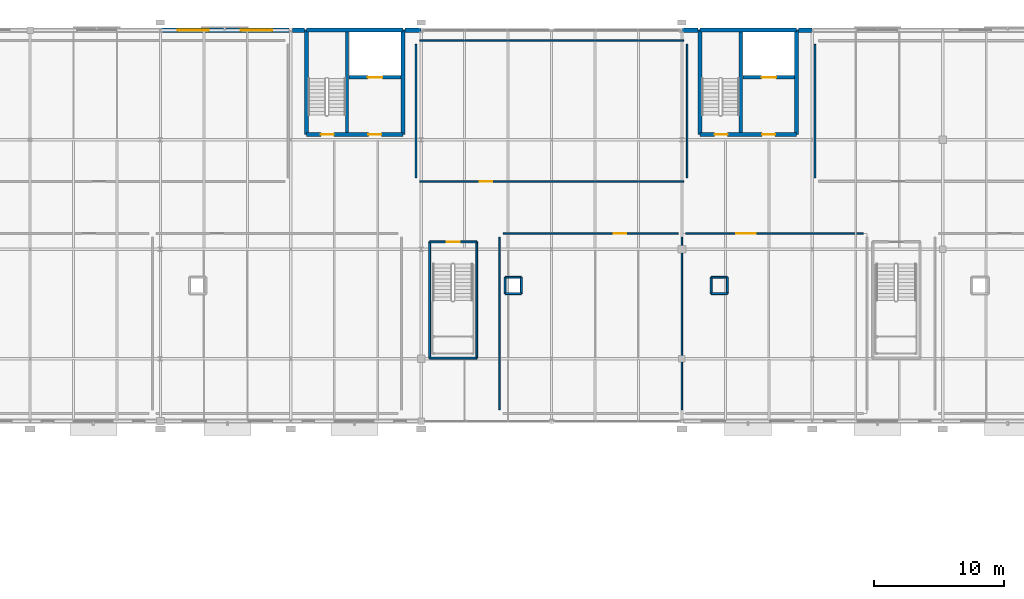
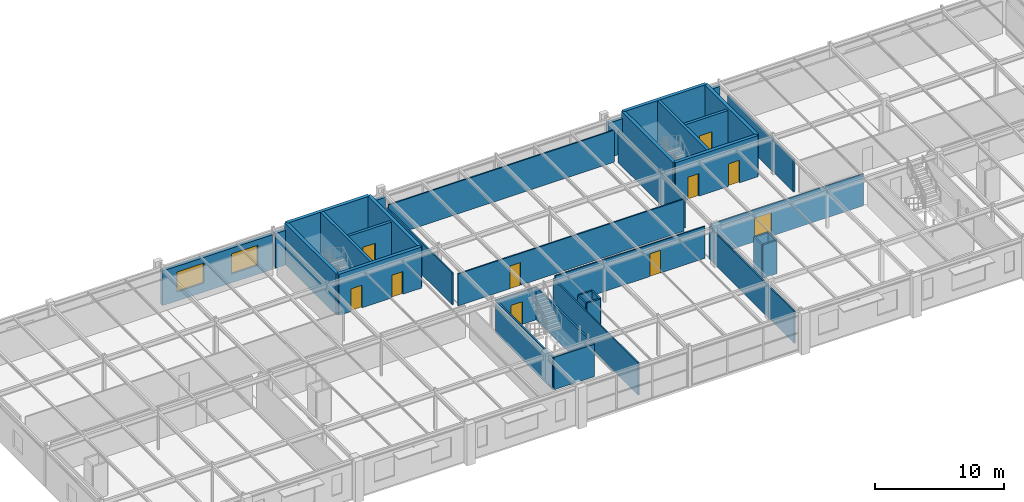
# One storey, part 80 of 98: 38 walls, 10 doors, 2 windows, 12 openings.
"""IFC4 building model written with IfcOpenShell, lengths in metres."""

import ifcopenshell
import ifcopenshell.guid

model = None  # the IFC model being written
_history = None  # IfcOwnerHistory: only IFC2X3 demands one
_inside = {}  # id of a spatial element -> (the spatial element, [elements in it])
_under = {}  # id of a project, library or spatial element -> (it, [spatial elements below it])
_declared = {}  # id of a project -> (the project, [libraries it declares])
_typed = {}  # id of a type object -> (the type object, [elements of that type])
_made_of = {}  # id of a material, layer set ... -> (it, [elements and type objects made of it])


def new_model(schema):
    """Start an empty IFC model of exactly this schema.

    Asked for "IFC4X3", IfcOpenShell would pick the latest addendum, in which some entities
    have other attributes; the version numbers below select the first issue.
    IFC2X3 requires an IfcOwnerHistory on every rooted entity: one is made here for all.
    """
    global model, _history
    if schema == "IFC4X3":
        model = ifcopenshell.file(schema_version=(4, 3, 0, 0))
    else:
        model = ifcopenshell.file(schema=schema)
    _inside.clear()
    _under.clear()
    _declared.clear()
    _typed.clear()
    _made_of.clear()
    _history = None
    if model.schema == "IFC2X3":
        org = make("IfcOrganization", Name="unknown")
        user = make(
            "IfcPersonAndOrganization",
            ThePerson=make("IfcPerson", FamilyName="unknown"),
            TheOrganization=org,
        )
        app = make(
            "IfcApplication",
            ApplicationDeveloper=org,
            Version="unknown",
            ApplicationFullName="unknown",
            ApplicationIdentifier="unknown",
        )
        _history = make(
            "IfcOwnerHistory",
            OwningUser=user,
            OwningApplication=app,
            ChangeAction="ADDED",
            CreationDate=0,
        )
    return model


def make(cls, **values):
    """One entity of the class cls with the attributes given. An attribute that is None is left unset."""
    return model.create_entity(
        cls, **{name: value for name, value in values.items() if value is not None}
    )


def rooted(cls, **values):
    """An entity with a GlobalId (a new one), such as an element, a storey or a relation."""
    return make(cls, GlobalId=ifcopenshell.guid.new(), OwnerHistory=_history, **values)


def si_unit(unit_type, name, prefix=None):
    """IfcSIUnit, for example si_unit("LENGTHUNIT", "METRE", prefix="MILLI")."""
    return make("IfcSIUnit", UnitType=unit_type, Prefix=prefix, Name=name)


def derived_unit(unit_type, elements):
    """IfcDerivedUnit: a product of units, each with its exponent."""
    return make(
        "IfcDerivedUnit",
        Elements=[
            make("IfcDerivedUnitElement", Unit=unit, Exponent=power)
            for unit, power in elements
        ],
        UnitType=unit_type,
    )


def assignment(units):
    """IfcUnitAssignment: the units of a project."""
    return None if units is None else make("IfcUnitAssignment", Units=units)


def point(xyz):
    """IfcCartesianPoint."""
    return None if xyz is None else make("IfcCartesianPoint", Coordinates=xyz)


def direction(xyz):
    """IfcDirection."""
    return None if xyz is None else make("IfcDirection", DirectionRatios=xyz)


def frame(location, z_axis=None, x_axis=None):
    """IfcAxis2Placement3D, a coordinate frame: its origin and axes. An axis left out is left unset."""
    return make(
        "IfcAxis2Placement3D",
        Location=point(location),
        Axis=direction(z_axis),
        RefDirection=direction(x_axis),
    )


def frame_2d(location, x_axis=None):
    """IfcAxis2Placement2D, a coordinate frame in the plane: its origin and x axis."""
    return make(
        "IfcAxis2Placement2D", Location=point(location), RefDirection=direction(x_axis)
    )


def origin():
    """The frame at (0, 0, 0) with its axes left unset."""
    return frame((0.0, 0.0, 0.0))


def place(relative_to, where):
    """IfcLocalPlacement: puts the frame where relative to a parent placement (None: the world)."""
    return make(
        "IfcLocalPlacement", PlacementRelTo=relative_to, RelativePlacement=where
    )


def context(
    kind, dimensions, precision=None, world=None, true_north=None, identifier=None
):
    """IfcGeometricRepresentationContext, for example the 3D "Model" context."""
    return make(
        "IfcGeometricRepresentationContext",
        ContextIdentifier=identifier,
        ContextType=kind,
        CoordinateSpaceDimension=dimensions,
        Precision=precision,
        WorldCoordinateSystem=world,
        TrueNorth=true_north,
    )


def subcontext(parent, identifier, kind, view, scale=None):
    """IfcGeometricRepresentationSubContext, for example "Body" below "Model"."""
    return make(
        "IfcGeometricRepresentationSubContext",
        ContextIdentifier=identifier,
        ContextType=kind,
        ParentContext=parent,
        TargetScale=scale,
        TargetView=view,
    )


def project(units=None, contexts=None):
    """IfcProject with its units and contexts."""
    return rooted(
        "IfcProject",
        Name="project",
        RepresentationContexts=contexts,
        UnitsInContext=assignment(units),
    )


def spatial(cls, under=None, at=None, **own):
    """A site, building, storey or space (cls), placed at a placement, below another one or the project."""
    s = rooted(cls, ObjectPlacement=at, **own)
    if under is not None:
        _under.setdefault(under.id(), (under, []))[1].append(s)
    return s


def profile(cls, at=None, kind="AREA", **sizes):
    """A parametric profile (cls). Its sizes go by their IFC names, for example OverallWidth=200.0."""
    return make(cls, ProfileType=kind, Position=at, **sizes)


def rectangle(**sizes):
    """IfcRectangleProfileDef."""
    return profile("IfcRectangleProfileDef", **sizes)


def extrude(swept, where, along, depth):
    """IfcExtrudedAreaSolid: the profile swept, set in the frame where, extruded along a direction by depth."""
    return make(
        "IfcExtrudedAreaSolid",
        SweptArea=swept,
        Position=where,
        ExtrudedDirection=direction(along),
        Depth=depth,
    )


def shape(context_of_items, identifier, shape_type, items):
    """IfcShapeRepresentation: the items that make up one representation, for example the "Body"."""
    return make(
        "IfcShapeRepresentation",
        ContextOfItems=context_of_items,
        RepresentationIdentifier=identifier,
        RepresentationType=shape_type,
        Items=items,
    )


def material(Name=None, Category=None):
    """IfcMaterial."""
    return make("IfcMaterial", Name=Name, Category=Category)


def layer(
    of_material, thickness, ventilated=None, Name=None, Category=None, Priority=None
):
    """IfcMaterialLayer: one layer of a wall or slab, of a material (None: an air gap)."""
    return make(
        "IfcMaterialLayer",
        Material=of_material,
        LayerThickness=thickness,
        IsVentilated=ventilated,
        Name=Name,
        Category=Category,
        Priority=Priority,
    )


def layer_set(layers, Name=None):
    """IfcMaterialLayerSet."""
    return make("IfcMaterialLayerSet", MaterialLayers=layers, LayerSetName=Name)


def made_of(thing, what):
    """Note that an element or type object is made of a material, layer set ...; save() writes the relation."""
    if what is not None:
        _made_of.setdefault(what.id(), (what, []))[1].append(thing)
    return thing


def type_object(cls, material=None, **own):
    """A type object (cls), such as IfcWallType, which elements share."""
    return made_of(rooted(cls, **own), material)


def element(
    cls,
    number,
    at=None,
    inside=None,
    cuts=None,
    type_object=None,
    material=None,
    context=None,
    identifier="Body",
    shape_type=None,
    held_by="IfcProductDefinitionShape",
    body=None,
    shapes=None,
    **own,
):
    """One element of the class cls, such as IfcWall. Its Tag is "e" and its number.

    at: its placement. inside: the storey or other place that contains it. cuts: it is an
    opening in that element (IfcRelVoidsElement). A single representation is given by context,
    identifier, shape_type and body (its items); several are given by shapes. held_by: the class
    of the entity that holds the representations. save() writes the other relations.
    """
    e = rooted(cls, Tag="e%d" % number, ObjectPlacement=at, **own)
    if body is not None:
        shapes = [shape(context, identifier, shape_type, body)]
    if shapes is not None:
        e.Representation = make(held_by, Representations=shapes)
    if inside is not None:
        _inside.setdefault(inside.id(), (inside, []))[1].append(e)
    if cuts is not None:
        rooted(
            "IfcRelVoidsElement", RelatingBuildingElement=cuts, RelatedOpeningElement=e
        )
    if type_object is not None:
        _typed.setdefault(type_object.id(), (type_object, []))[1].append(e)
    return made_of(e, material)


def fill(opening, filler):
    """IfcRelFillsElement: the door or window that sits in an opening."""
    return rooted(
        "IfcRelFillsElement",
        RelatingOpeningElement=opening,
        RelatedBuildingElement=filler,
    )


def aggregate(whole, parts):
    """IfcRelAggregates: a whole, such as a stair, and the parts it consists of."""
    return rooted("IfcRelAggregates", RelatingObject=whole, RelatedObjects=parts)


def save(model, path):
    """Write the relations noted so far, then the file.

    IfcRelAggregates (storeys below a building ...), IfcRelContainedInSpatialStructure (elements
    in a storey), IfcRelDefinesByType, IfcRelAssociatesMaterial and IfcRelDeclares: one each for
    every whole, place, type object, material and project.
    """
    for whole, parts in _under.values():
        aggregate(whole, parts)
    for where, things in _inside.values():
        rooted(
            "IfcRelContainedInSpatialStructure",
            RelatedElements=things,
            RelatingStructure=where,
        )
    for kind, things in _typed.values():
        rooted("IfcRelDefinesByType", RelatedObjects=things, RelatingType=kind)
    for what, things in _made_of.values():
        rooted("IfcRelAssociatesMaterial", RelatedObjects=things, RelatingMaterial=what)
    for by, libraries in _declared.values():
        rooted("IfcRelDeclares", RelatingContext=by, RelatedDefinitions=libraries)
    model.write(path)


model = new_model("IFC4")

# Units and contexts
model_context = context("Model", 3, precision=1e-05, world=origin(), true_north=direction((0.0, 1.0)))
body_context = subcontext(model_context, "Body", "Model", "MODEL_VIEW")
ifc_project = project(units=[si_unit("LENGTHUNIT", "METRE"), si_unit("AREAUNIT", "SQUARE_METRE"), si_unit("VOLUMEUNIT", "CUBIC_METRE"), si_unit("PLANEANGLEUNIT", "RADIAN"), si_unit("MASSUNIT", "GRAM", prefix="KILO"), derived_unit("THERMALTRANSMITTANCEUNIT", [(si_unit("POWERUNIT", "WATT"), 1), (si_unit("LENGTHUNIT", "METRE"), -2), (si_unit("THERMODYNAMICTEMPERATUREUNIT", "KELVIN"), -1)])], contexts=[model_context])

# Site, building, storey
site_placement = place(None, origin())
site = spatial("IfcSite", under=ifc_project, at=site_placement, CompositionType="ELEMENT")
building_placement = place(site_placement, origin())
building = spatial("IfcBuilding", under=site, at=building_placement, Name="Cinnabar Yard Market Hall", CompositionType="ELEMENT")
storey_placement = place(building_placement, frame((0.0, 0.0, 4.5)))
storey = spatial("IfcBuildingStorey", under=building, at=storey_placement, Name="L01", CompositionType="ELEMENT", Elevation=4.5)

# Wall
ifc_material_1 = material(Name="Acoustic steel-stud plasterboard", Category="steel")
ifc_layer_1 = layer(ifc_material_1, 0.1201171875)
ifc_layer_set_1 = layer_set([ifc_layer_1], Name="Acoustic steel-stud plasterboard")
wall_type_1 = type_object("IfcWallType", Name="WL-PT120", PredefinedType="PARTITIONING", material=ifc_layer_set_1)
wall_1_placement = place(storey_placement, frame((126.0, 108.8798828125, 0.0), z_axis=(0.0, 0.0, 1.0), x_axis=(0.0, 1.0, 0.0)))
element("IfcWall", 1, at=wall_1_placement, inside=storey, type_object=wall_type_1, Name="Partition Charcuterie Craft Studio 103 east", PredefinedType="PARTITIONING", context=body_context, shape_type="SweptSolid", body=[
    extrude(rectangle(XDim=13.240234375, YDim=0.1201171875, at=frame_2d((6.6201171875, 0.0), x_axis=(1.0, 0.0))), origin(), (0.0, 0.0, 1.0), 3.030029296875),
])

# Wall, opening, door
wall_2_placement = place(storey_placement, frame((125.719970703125, 122.39990234375, 0.0), z_axis=(0.0, 0.0, 1.0), x_axis=(-1.0, 0.0, 0.0)))
wall_2 = element("IfcWall", 2, at=wall_2_placement, inside=storey, type_object=wall_type_1, Name="Partition Charcuterie Craft Studio 103 north", PredefinedType="PARTITIONING", context=body_context, shape_type="SweptSolid", body=[
    extrude(rectangle(XDim=13.43994140625, YDim=0.1201171875, at=frame_2d((6.719970703125, 0.0), x_axis=(1.0, 0.0))), origin(), (0.0, 0.0, 1.0), 3.030029296875),
])
opening_1_placement = place(wall_2_placement, frame((3.996826171875, 0.0, 0.0)))
opening_1 = element("IfcOpeningElement", 3, at=opening_1_placement, cuts=wall_2, Name="Opening ID-154", PredefinedType="OPENING", context=body_context, shape_type="SweptSolid", body=[
    extrude(rectangle(XDim=0.949951171875, YDim=2.14990234375, at=frame_2d((0.47509765625, 1.074951171875), x_axis=(1.0, 0.0))), frame((0.0, 0.070068359375, 0.0), z_axis=(0.0, -1.0, 0.0), x_axis=(1.0, 0.0, 0.0)), (0.0, 0.0, 1.0), 0.14013671875),
])
ifc_material_2 = material(Name="Solid-core spotted gum timber", Category="wood")
door_type_1 = type_object("IfcDoorType", Name="DR-D06", OperationType="NOTDEFINED", PredefinedType="DOOR", material=ifc_material_2)
door_1_placement = place(opening_1_placement, origin())
door_1 = element("IfcDoor", 4, at=door_1_placement, inside=storey, type_object=door_type_1, Name="Interior Door ID-154", OperationType="SINGLE_SWING_LEFT", OverallHeight=2.14990234375, OverallWidth=0.949951171875, PredefinedType="DOOR", context=body_context, shape_type="SweptSolid", body=[
    extrude(rectangle(XDim=0.949951171875, YDim=2.14990234375, at=frame_2d((0.47509765625, 1.074951171875), x_axis=(1.0, 0.0))), frame((0.0, 0.02490234375, 0.0), z_axis=(0.0, -1.0, 0.0), x_axis=(1.0, 0.0, 0.0)), (0.0, 0.0, 1.0), 0.050048828125),
])
fill(opening_1, door_1)

# Wall
wall_3_placement = place(storey_placement, frame((112.0, 122.1201171875, 0.0), z_axis=(0.0, 0.0, 1.0), x_axis=(0.0, -1.0, 0.0)))
element("IfcWall", 5, at=wall_3_placement, inside=storey, type_object=wall_type_1, Name="Partition Charcuterie Craft Studio 103 west", PredefinedType="PARTITIONING", context=body_context, shape_type="SweptSolid", body=[
    extrude(rectangle(XDim=13.240234375, YDim=0.1201171875, at=frame_2d((6.6201171875, 0.0), x_axis=(1.0, 0.0))), origin(), (0.0, 0.0, 1.0), 3.030029296875),
])

# Wall, opening, door
wall_4_placement = place(storey_placement, frame((139.919921875, 122.39990234375, 0.0), z_axis=(0.0, 0.0, 1.0), x_axis=(-1.0, 0.0, 0.0)))
wall_4 = element("IfcWall", 6, at=wall_4_placement, inside=storey, type_object=wall_type_1, Name="Partition Regional Wine and Cider Tasting Room 104 north", PredefinedType="PARTITIONING", context=body_context, shape_type="SweptSolid", body=[
    extrude(rectangle(XDim=13.639892578125, YDim=0.1201171875, at=frame_2d((6.81982421875, 0.0), x_axis=(1.0, 0.0))), origin(), (0.0, 0.0, 1.0), 3.030029296875),
])
opening_2_placement = place(wall_4_placement, frame((8.255126953125, 0.0, 0.0)))
opening_2 = element("IfcOpeningElement", 7, at=opening_2_placement, cuts=wall_4, Name="Opening ID-155", PredefinedType="OPENING", context=body_context, shape_type="SweptSolid", body=[
    extrude(rectangle(XDim=1.5, YDim=2.25, at=frame_2d((0.75, 1.125), x_axis=(1.0, 0.0))), frame((0.0, 0.070068359375, 0.0), z_axis=(0.0, -1.0, 0.0), x_axis=(1.0, 0.0, 0.0)), (0.0, 0.0, 1.0), 0.14013671875),
])
ifc_material_3 = material(Name="Spotted gum timber and vision glass", Category="wood")
door_type_2 = type_object("IfcDoorType", Name="DR-D08", OperationType="NOTDEFINED", PredefinedType="DOOR", material=ifc_material_3)
door_2_placement = place(opening_2_placement, origin())
door_2 = element("IfcDoor", 8, at=door_2_placement, inside=storey, type_object=door_type_2, Name="Interior Door ID-155", OperationType="DOUBLE_SWING_RIGHT", OverallHeight=2.25, OverallWidth=1.5, PredefinedType="DOOR", context=body_context, shape_type="SweptSolid", body=[
    extrude(rectangle(XDim=1.5, YDim=2.25, at=frame_2d((0.75, 1.125), x_axis=(1.0, 0.0))), frame((0.0, 0.02490234375, 0.0), z_axis=(0.0, -1.0, 0.0), x_axis=(1.0, 0.0, 0.0)), (0.0, 0.0, 1.0), 0.050048828125),
])
fill(opening_2, door_2)

wall_5_placement = place(storey_placement, frame((105.8798828125, 126.39990234375, 0.0), z_axis=(0.0, 0.0, 1.0), x_axis=(1.0, 0.0, 0.0)))
wall_5 = element("IfcWall", 9, at=wall_5_placement, inside=storey, type_object=wall_type_1, Name="Partition Packaging and Food Photography Studio 107 south", PredefinedType="PARTITIONING", context=body_context, shape_type="SweptSolid", body=[
    extrude(rectangle(XDim=20.240234375, YDim=0.1201171875, at=frame_2d((10.1201171875, 0.0), x_axis=(1.0, 0.0))), origin(), (0.0, 0.0, 1.0), 3.030029296875),
])
opening_3_placement = place(wall_5_placement, frame((4.629638671875, 0.0, 0.0)))
opening_3 = element("IfcOpeningElement", 10, at=opening_3_placement, cuts=wall_5, Name="Opening ID-158", PredefinedType="OPENING", context=body_context, shape_type="SweptSolid", body=[
    extrude(rectangle(XDim=0.949951171875, YDim=2.14990234375, at=frame_2d((0.47509765625, 1.074951171875), x_axis=(1.0, 0.0))), frame((0.0, 0.070068359375, 0.0), z_axis=(0.0, -1.0, 0.0), x_axis=(1.0, 0.0, 0.0)), (0.0, 0.0, 1.0), 0.14013671875),
])
door_3_placement = place(opening_3_placement, origin())
door_3 = element("IfcDoor", 11, at=door_3_placement, inside=storey, type_object=door_type_1, Name="Interior Door ID-158", OperationType="SINGLE_SWING_LEFT", OverallHeight=2.14990234375, OverallWidth=0.949951171875, PredefinedType="DOOR", context=body_context, shape_type="SweptSolid", body=[
    extrude(rectangle(XDim=0.949951171875, YDim=2.14990234375, at=frame_2d((0.47509765625, 1.074951171875), x_axis=(1.0, 0.0))), frame((0.0, 0.02490234375, 0.0), z_axis=(0.0, -1.0, 0.0), x_axis=(1.0, 0.0, 0.0)), (0.0, 0.0, 1.0), 0.050048828125),
])
fill(opening_3, door_3)

# Walls
wall_6_placement = place(storey_placement, frame((126.39990234375, 126.679931640625, 0.0), z_axis=(0.0, 0.0, 1.0), x_axis=(0.0, 1.0, 0.0)))
element("IfcWall", 12, at=wall_6_placement, inside=storey, type_object=wall_type_1, Name="Partition Packaging and Food Photography Studio 107 east", PredefinedType="PARTITIONING", context=body_context, shape_type="SweptSolid", body=[
    extrude(rectangle(XDim=10.239990234375, YDim=0.1201171875, at=frame_2d((5.1201171875, 0.0), x_axis=(1.0, 0.0))), origin(), (0.0, 0.0, 1.0), 3.030029296875),
])
wall_7_placement = place(storey_placement, frame((126.1201171875, 137.199951171875, 0.0), z_axis=(0.0, 0.0, 1.0), x_axis=(-1.0, 0.0, 0.0)))
element("IfcWall", 13, at=wall_7_placement, inside=storey, type_object=wall_type_1, Name="Partition Packaging and Food Photography Studio 107 north", PredefinedType="PARTITIONING", context=body_context, shape_type="SweptSolid", body=[
    extrude(rectangle(XDim=20.240234375, YDim=0.1201171875, at=frame_2d((10.1201171875, 0.0), x_axis=(1.0, 0.0))), origin(), (0.0, 0.0, 1.0), 3.030029296875),
])
wall_8_placement = place(storey_placement, frame((105.60009765625, 136.919921875, 0.0), z_axis=(0.0, 0.0, 1.0), x_axis=(0.0, -1.0, 0.0)))
element("IfcWall", 14, at=wall_8_placement, inside=storey, type_object=wall_type_1, Name="Partition Packaging and Food Photography Studio 107 west", PredefinedType="PARTITIONING", context=body_context, shape_type="SweptSolid", body=[
    extrude(rectangle(XDim=10.239990234375, YDim=0.1201171875, at=frame_2d((5.1201171875, 0.0), x_axis=(1.0, 0.0))), origin(), (0.0, 0.0, 1.0), 3.030029296875),
])
ifc_material_4 = material(Name="Moisture-resistant tiled service wall")
ifc_layer_2 = layer(ifc_material_4, 0.139892578125)
ifc_layer_set_2 = layer_set([ifc_layer_2], Name="Moisture-resistant tiled service wall")
wall_type_2 = type_object("IfcWallType", Name="WL-PT140", PredefinedType="PLUMBINGWALL", material=ifc_layer_set_2)
wall_9_placement = place(storey_placement, frame((136.199951171875, 136.919921875, 0.0), z_axis=(0.0, 0.0, 1.0), x_axis=(0.0, -1.0, 0.0)))
element("IfcWall", 15, at=wall_9_placement, inside=storey, type_object=wall_type_2, Name="Partition L01 Studios Male, Female and Accessible WC west", PredefinedType="PLUMBINGWALL", context=body_context, shape_type="SweptSolid", body=[
    extrude(rectangle(XDim=10.239990234375, YDim=0.139892578125, at=frame_2d((5.1201171875, 0.0), x_axis=(1.0, 0.0))), origin(), (0.0, 0.0, 1.0), 3.030029296875),
])
ifc_material_5 = material(Name="Fire-rated steel-stud plasterboard", Category="steel")
ifc_layer_3 = layer(ifc_material_5, 0.14990234375)
ifc_layer_set_3 = layer_set([ifc_layer_3], Name="Fire-rated steel-stud plasterboard")
wall_type_3 = type_object("IfcWallType", Name="WL-PT150", PredefinedType="PARTITIONING", material=ifc_layer_set_3)
for number, where, z_axis, x_axis, name in (
    (16, (106.639892578125, 121.760009765625, 0.0), (0.0, 0.0, 1.0), (0.0, -1.0, 0.0), "Stair ST-F4 Shaft Wall W L01"),
    (17, (110.260009765625, 112.840087890625, 0.0), (0.0, 0.0, 1.0), (0.0, 1.0, 0.0), "Stair ST-F4 Shaft Wall E L01"),
):
    element("IfcWall", number, at=place(storey_placement, frame(where, z_axis=z_axis, x_axis=x_axis)), inside=storey, type_object=wall_type_3, Name=name, PredefinedType="PARTITIONING", context=body_context, shape_type="SweptSolid", body=[
        extrude(rectangle(XDim=8.919921875, YDim=0.14990234375, at=frame_2d((4.4599609375, 0.0), x_axis=(1.0, 0.0))), origin(), (0.0, 0.0, 1.0), 3.070068359375),
    ])
wall_10_placement = place(storey_placement, frame((106.639892578125, 112.840087890625, 0.0), z_axis=(0.0, 0.0, 1.0), x_axis=(1.0, 0.0, 0.0)))
element("IfcWall", 18, at=wall_10_placement, inside=storey, type_object=wall_type_3, Name="Stair ST-F4 Shaft Wall S L01", PredefinedType="PARTITIONING", context=body_context, shape_type="SweptSolid", body=[
    extrude(rectangle(XDim=3.6201171875, YDim=0.14990234375, at=frame_2d((1.81005859375, 0.0), x_axis=(1.0, 0.0))), origin(), (0.0, 0.0, 1.0), 3.070068359375),
])

# Wall, opening, door
wall_11_placement = place(storey_placement, frame((110.260009765625, 121.760009765625, 0.0), z_axis=(0.0, 0.0, 1.0), x_axis=(-1.0, 0.0, 0.0)))
wall_11 = element("IfcWall", 19, at=wall_11_placement, inside=storey, type_object=wall_type_3, Name="Stair ST-F4 Shaft Wall N L01", PredefinedType="PARTITIONING", context=body_context, shape_type="SweptSolid", body=[
    extrude(rectangle(XDim=3.6201171875, YDim=0.14990234375, at=frame_2d((1.81005859375, 0.0), x_axis=(1.0, 0.0))), origin(), (0.0, 0.0, 1.0), 3.070068359375),
])
opening_4_placement = place(wall_11_placement, frame((1.31005859375, 0.0, 0.0)))
opening_4 = element("IfcOpeningElement", 20, at=opening_4_placement, cuts=wall_11, Name="Opening CD-074", PredefinedType="OPENING", context=body_context, shape_type="SweptSolid", body=[
    extrude(rectangle(XDim=1.0, YDim=2.14990234375, at=frame_2d((0.5, 1.074951171875), x_axis=(1.0, 0.0))), frame((0.0, 0.0849609375, 0.0), z_axis=(0.0, -1.0, 0.0), x_axis=(1.0, 0.0, 0.0)), (0.0, 0.0, 1.0), 0.169921875),
])
door_type_3 = type_object("IfcDoorType", Name="DR-D05", OperationType="NOTDEFINED", PredefinedType="DOOR", material=ifc_material_2)
door_4_placement = place(opening_4_placement, origin())
door_4 = element("IfcDoor", 21, at=door_4_placement, inside=storey, type_object=door_type_3, Name="Stair Door CD-074", OperationType="SINGLE_SWING_LEFT", OverallHeight=2.14990234375, OverallWidth=1.0, PredefinedType="DOOR", context=body_context, shape_type="SweptSolid", body=[
    extrude(rectangle(XDim=1.0, YDim=2.14990234375, at=frame_2d((0.5, 1.074951171875), x_axis=(1.0, 0.0))), frame((0.0, 0.02490234375, 0.0), z_axis=(0.0, -1.0, 0.0), x_axis=(1.0, 0.0, 0.0)), (0.0, 0.0, 1.0), 0.050048828125),
])
fill(opening_4, door_4)

# Walls
for number, where, z_axis, x_axis, name in (
    (22, (112.43994140625, 117.800048828125, 0.0), (0.0, 0.0, 1.0), (1.0, 0.0, 0.0), "Service Shaft Wall L01-3-1"),
    (23, (113.68994140625, 117.800048828125, 0.0), (0.0, 0.0, 1.0), (0.0, 1.0, 0.0), "Service Shaft Wall L01-3-2"),
    (24, (113.68994140625, 119.050048828125, 0.0), (0.0, 0.0, 1.0), (-1.0, 0.0, 0.0), "Service Shaft Wall L01-3-3"),
    (25, (112.43994140625, 119.050048828125, 0.0), (0.0, 0.0, 1.0), (0.0, -1.0, 0.0), "Service Shaft Wall L01-3-4"),
    (26, (128.239990234375, 117.800048828125, 0.0), (0.0, 0.0, 1.0), (1.0, 0.0, 0.0), "Service Shaft Wall L01-4-1"),
    (27, (129.489990234375, 117.800048828125, 0.0), (0.0, 0.0, 1.0), (0.0, 1.0, 0.0), "Service Shaft Wall L01-4-2"),
    (28, (129.489990234375, 119.050048828125, 0.0), (0.0, 0.0, 1.0), (-1.0, 0.0, 0.0), "Service Shaft Wall L01-4-3"),
    (29, (128.239990234375, 119.050048828125, 0.0), (0.0, 0.0, 1.0), (0.0, -1.0, 0.0), "Service Shaft Wall L01-4-4"),
):
    element("IfcWall", number, at=place(storey_placement, frame(where, z_axis=z_axis, x_axis=x_axis)), inside=storey, type_object=wall_type_3, Name=name, PredefinedType="PARTITIONING", context=body_context, shape_type="SweptSolid", body=[
        extrude(rectangle(XDim=1.25, YDim=0.14990234375, at=frame_2d((0.625, 0.0), x_axis=(1.0, 0.0))), origin(), (0.0, 0.0, 1.0), 3.169921875),
    ])
ifc_material_6 = material(Name="Concrete 40 MPa", Category="concrete")
ifc_layer_4 = layer(ifc_material_6, 0.300048828125)
ifc_layer_set_4 = layer_set([ifc_layer_4], Name="Concrete 40 MPa")
wall_type_4 = type_object("IfcWallType", Name="WL-W-CORE", PredefinedType="SHEAR", material=ifc_layer_set_4)
for number, where, z_axis, x_axis, name in (
    (30, (97.199951171875, 138.0, 0.0), (0.0, 0.0, 1.0), (0.0, -1.0, 0.0), "Core C5 West Shear Wall L01"),
    (31, (104.60009765625, 130.0, 0.0), (0.0, 0.0, 1.0), (0.0, 1.0, 0.0), "Core C5 East Shear Wall L01"),
):
    element("IfcWall", number, at=place(storey_placement, frame(where, z_axis=z_axis, x_axis=x_axis)), inside=storey, type_object=wall_type_4, Name=name, PredefinedType="SHEAR", context=body_context, shape_type="SweptSolid", body=[
        extrude(rectangle(XDim=8.0, YDim=0.300048828125, at=frame_2d((4.0, 0.0), x_axis=(1.0, 0.0))), origin(), (0.0, 0.0, 1.0), 3.89990234375),
    ])

# Wall, openings, doors
wall_12_placement = place(storey_placement, frame((97.199951171875, 130.0, 0.0), z_axis=(0.0, 0.0, 1.0), x_axis=(1.0, 0.0, 0.0)))
wall_12 = element("IfcWall", 32, at=wall_12_placement, inside=storey, type_object=wall_type_4, Name="Core C5 South Shear Wall L01", PredefinedType="SHEAR", context=body_context, shape_type="SweptSolid", body=[
    extrude(rectangle(XDim=7.400146484375, YDim=0.300048828125, at=frame_2d((3.7001953125, 0.0), x_axis=(1.0, 0.0))), origin(), (0.0, 0.0, 1.0), 3.89990234375),
])
opening_5_placement = place(wall_12_placement, frame((1.10009765625, 0.0, 0.0)))
opening_5 = element("IfcOpeningElement", 33, at=opening_5_placement, cuts=wall_12, Name="Opening CD-033", PredefinedType="OPENING", context=body_context, shape_type="SweptSolid", body=[
    extrude(rectangle(XDim=1.0, YDim=2.14990234375, at=frame_2d((0.5, 1.074951171875), x_axis=(1.0, 0.0))), frame((0.0, 0.159912109375, 0.0), z_axis=(0.0, -1.0, 0.0), x_axis=(1.0, 0.0, 0.0)), (0.0, 0.0, 1.0), 0.320068359375),
])
opening_6_placement = place(wall_12_placement, frame((4.75, 0.0, 0.0)))
opening_6 = element("IfcOpeningElement", 34, at=opening_6_placement, cuts=wall_12, Name="Opening CD-034", PredefinedType="OPENING", context=body_context, shape_type="SweptSolid", body=[
    extrude(rectangle(XDim=1.0, YDim=2.14990234375, at=frame_2d((0.5, 1.074951171875), x_axis=(1.0, 0.0))), frame((0.0, 0.159912109375, 0.0), z_axis=(0.0, -1.0, 0.0), x_axis=(1.0, 0.0, 0.0)), (0.0, 0.0, 1.0), 0.320068359375),
])
door_5_placement = place(opening_5_placement, origin())
door_5 = element("IfcDoor", 35, at=door_5_placement, inside=storey, type_object=door_type_3, Name="Core Door CD-033", OperationType="SINGLE_SWING_RIGHT", OverallHeight=2.14990234375, OverallWidth=1.0, PredefinedType="DOOR", context=body_context, shape_type="SweptSolid", body=[
    extrude(rectangle(XDim=1.0, YDim=2.14990234375, at=frame_2d((0.5, 1.074951171875), x_axis=(1.0, 0.0))), frame((0.0, 0.02490234375, 0.0), z_axis=(0.0, -1.0, 0.0), x_axis=(1.0, 0.0, 0.0)), (0.0, 0.0, 1.0), 0.050048828125),
])
fill(opening_5, door_5)
door_6_placement = place(opening_6_placement, origin())
door_6 = element("IfcDoor", 36, at=door_6_placement, inside=storey, type_object=door_type_3, Name="Core Door CD-034", OperationType="SINGLE_SWING_LEFT", OverallHeight=2.14990234375, OverallWidth=1.0, PredefinedType="DOOR", context=body_context, shape_type="SweptSolid", body=[
    extrude(rectangle(XDim=1.0, YDim=2.14990234375, at=frame_2d((0.5, 1.074951171875), x_axis=(1.0, 0.0))), frame((0.0, 0.02490234375, 0.0), z_axis=(0.0, -1.0, 0.0), x_axis=(1.0, 0.0, 0.0)), (0.0, 0.0, 1.0), 0.050048828125),
])
fill(opening_6, door_6)

# Walls
wall_13_placement = place(storey_placement, frame((104.60009765625, 138.0, 0.0), z_axis=(0.0, 0.0, 1.0), x_axis=(-1.0, 0.0, 0.0)))
element("IfcWall", 37, at=wall_13_placement, inside=storey, type_object=wall_type_4, Name="Core C5 North Shear Wall L01", PredefinedType="SHEAR", context=body_context, shape_type="SweptSolid", body=[
    extrude(rectangle(XDim=7.400146484375, YDim=0.300048828125, at=frame_2d((3.7001953125, 0.0), x_axis=(1.0, 0.0))), origin(), (0.0, 0.0, 1.0), 3.89990234375),
])
for number, where, z_axis, x_axis, name in (
    (38, (127.39990234375, 138.0, 0.0), (0.0, 0.0, 1.0), (0.0, -1.0, 0.0), "Core C6 West Shear Wall L01"),
    (39, (134.800048828125, 130.0, 0.0), (0.0, 0.0, 1.0), (0.0, 1.0, 0.0), "Core C6 East Shear Wall L01"),
):
    element("IfcWall", number, at=place(storey_placement, frame(where, z_axis=z_axis, x_axis=x_axis)), inside=storey, type_object=wall_type_4, Name=name, PredefinedType="SHEAR", context=body_context, shape_type="SweptSolid", body=[
        extrude(rectangle(XDim=8.0, YDim=0.300048828125, at=frame_2d((4.0, 0.0), x_axis=(1.0, 0.0))), origin(), (0.0, 0.0, 1.0), 3.89990234375),
    ])

# Wall, openings, doors
wall_14_placement = place(storey_placement, frame((127.39990234375, 130.0, 0.0), z_axis=(0.0, 0.0, 1.0), x_axis=(1.0, 0.0, 0.0)))
wall_14 = element("IfcWall", 40, at=wall_14_placement, inside=storey, type_object=wall_type_4, Name="Core C6 South Shear Wall L01", PredefinedType="SHEAR", context=body_context, shape_type="SweptSolid", body=[
    extrude(rectangle(XDim=7.400146484375, YDim=0.300048828125, at=frame_2d((3.7001953125, 0.0), x_axis=(1.0, 0.0))), origin(), (0.0, 0.0, 1.0), 3.89990234375),
])
opening_7_placement = place(wall_14_placement, frame((1.10009765625, 0.0, 0.0)))
opening_7 = element("IfcOpeningElement", 41, at=opening_7_placement, cuts=wall_14, Name="Opening CD-045", PredefinedType="OPENING", context=body_context, shape_type="SweptSolid", body=[
    extrude(rectangle(XDim=1.0, YDim=2.14990234375, at=frame_2d((0.5, 1.074951171875), x_axis=(1.0, 0.0))), frame((0.0, 0.159912109375, 0.0), z_axis=(0.0, -1.0, 0.0), x_axis=(1.0, 0.0, 0.0)), (0.0, 0.0, 1.0), 0.320068359375),
])
opening_8_placement = place(wall_14_placement, frame((4.75, 0.0, 0.0)))
opening_8 = element("IfcOpeningElement", 42, at=opening_8_placement, cuts=wall_14, Name="Opening CD-046", PredefinedType="OPENING", context=body_context, shape_type="SweptSolid", body=[
    extrude(rectangle(XDim=1.0, YDim=2.14990234375, at=frame_2d((0.5, 1.074951171875), x_axis=(1.0, 0.0))), frame((0.0, 0.159912109375, 0.0), z_axis=(0.0, -1.0, 0.0), x_axis=(1.0, 0.0, 0.0)), (0.0, 0.0, 1.0), 0.320068359375),
])
door_7_placement = place(opening_7_placement, origin())
door_7 = element("IfcDoor", 43, at=door_7_placement, inside=storey, type_object=door_type_3, Name="Core Door CD-045", OperationType="SINGLE_SWING_RIGHT", OverallHeight=2.14990234375, OverallWidth=1.0, PredefinedType="DOOR", context=body_context, shape_type="SweptSolid", body=[
    extrude(rectangle(XDim=1.0, YDim=2.14990234375, at=frame_2d((0.5, 1.074951171875), x_axis=(1.0, 0.0))), frame((0.0, 0.02490234375, 0.0), z_axis=(0.0, -1.0, 0.0), x_axis=(1.0, 0.0, 0.0)), (0.0, 0.0, 1.0), 0.050048828125),
])
fill(opening_7, door_7)
door_8_placement = place(opening_8_placement, origin())
door_8 = element("IfcDoor", 44, at=door_8_placement, inside=storey, type_object=door_type_3, Name="Core Door CD-046", OperationType="SINGLE_SWING_LEFT", OverallHeight=2.14990234375, OverallWidth=1.0, PredefinedType="DOOR", context=body_context, shape_type="SweptSolid", body=[
    extrude(rectangle(XDim=1.0, YDim=2.14990234375, at=frame_2d((0.5, 1.074951171875), x_axis=(1.0, 0.0))), frame((0.0, 0.02490234375, 0.0), z_axis=(0.0, -1.0, 0.0), x_axis=(1.0, 0.0, 0.0)), (0.0, 0.0, 1.0), 0.050048828125),
])
fill(opening_8, door_8)

# Wall
wall_15_placement = place(storey_placement, frame((134.800048828125, 138.0, 0.0), z_axis=(0.0, 0.0, 1.0), x_axis=(-1.0, 0.0, 0.0)))
element("IfcWall", 45, at=wall_15_placement, inside=storey, type_object=wall_type_4, Name="Core C6 North Shear Wall L01", PredefinedType="SHEAR", context=body_context, shape_type="SweptSolid", body=[
    extrude(rectangle(XDim=7.400146484375, YDim=0.300048828125, at=frame_2d((3.7001953125, 0.0), x_axis=(1.0, 0.0))), origin(), (0.0, 0.0, 1.0), 3.89990234375),
])

# Wall, openings, windows
ifc_material_7 = material(Name="Cream limestone and Concrete 32 MPa", Category="masonry")
ifc_layer_5 = layer(ifc_material_7, 0.320068359375)
ifc_layer_set_5 = layer_set([ifc_layer_5], Name="Cream limestone and Concrete 32 MPa")
wall_type_5 = type_object("IfcWallType", Name="WL-W-EXT2", PredefinedType="SOLIDWALL", material=ifc_layer_set_5)
wall_16_placement = place(storey_placement, frame((95.869384765625, 138.0, 0.0), z_axis=(0.0, 0.0, 1.0), x_axis=(-1.0, 0.0, 0.0)))
wall_16 = element("IfcWall", 46, at=wall_16_placement, inside=storey, type_object=wall_type_5, Name="Wing North Wall L01 Bay 3", PredefinedType="SOLIDWALL", context=body_context, shape_type="SweptSolid", body=[
    extrude(rectangle(XDim=9.859375, YDim=0.320068359375, at=frame_2d((4.9296875, 0.0), x_axis=(1.0, 0.0))), origin(), (0.0, 0.0, 1.0), 3.2900390625),
])
opening_9_placement = place(wall_16_placement, frame((1.300048828125, 0.0, 0.85009765625)))
opening_9 = element("IfcOpeningElement", 47, at=opening_9_placement, cuts=wall_16, Name="Opening W08", PredefinedType="OPENING", context=body_context, shape_type="SweptSolid", body=[
    extrude(rectangle(XDim=2.39990234375, YDim=1.89990234375, at=frame_2d((1.199951171875, 0.949951171875), x_axis=(1.0, 0.0))), frame((0.0, 0.169921875, 0.0), z_axis=(0.0, -1.0, 0.0), x_axis=(1.0, 0.0, 0.0)), (0.0, 0.0, 1.0), 0.340087890625),
])
opening_10_placement = place(wall_16_placement, frame((6.159423828125, 0.0, 0.85009765625)))
opening_10 = element("IfcOpeningElement", 48, at=opening_10_placement, cuts=wall_16, Name="Opening W08", PredefinedType="OPENING", context=body_context, shape_type="SweptSolid", body=[
    extrude(rectangle(XDim=2.39990234375, YDim=1.89990234375, at=frame_2d((1.199951171875, 0.949951171875), x_axis=(1.0, 0.0))), frame((0.0, 0.169921875, 0.0), z_axis=(0.0, -1.0, 0.0), x_axis=(1.0, 0.0, 0.0)), (0.0, 0.0, 1.0), 0.340087890625),
])
ifc_material_8 = material(Name="Low-E double glazing in bronze aluminium", Category="aluminium")
window_type = type_object("IfcWindowType", Name="WN-W08", PartitioningType="SINGLE_PANEL", PredefinedType="WINDOW", material=ifc_material_8)
window_1_placement = place(opening_9_placement, origin())
window_1 = element("IfcWindow", 49, at=window_1_placement, inside=storey, type_object=window_type, Name="Window WN-V3N-L01-3A", OverallHeight=1.89990234375, OverallWidth=2.39990234375, PartitioningType="SINGLE_PANEL", PredefinedType="WINDOW", context=body_context, shape_type="SweptSolid", body=[
    extrude(rectangle(XDim=2.39990234375, YDim=1.89990234375, at=frame_2d((1.199951171875, 0.949951171875), x_axis=(1.0, 0.0))), frame((0.0, 0.030029296875, 0.0), z_axis=(0.0, -1.0, 0.0), x_axis=(1.0, 0.0, 0.0)), (0.0, 0.0, 1.0), 0.06005859375),
])
fill(opening_9, window_1)
window_2_placement = place(opening_10_placement, origin())
window_2 = element("IfcWindow", 50, at=window_2_placement, inside=storey, type_object=window_type, Name="Window WN-V3N-L01-3B", OverallHeight=1.89990234375, OverallWidth=2.39990234375, PartitioningType="SINGLE_PANEL", PredefinedType="WINDOW", context=body_context, shape_type="SweptSolid", body=[
    extrude(rectangle(XDim=2.39990234375, YDim=1.89990234375, at=frame_2d((1.199951171875, 0.949951171875), x_axis=(1.0, 0.0))), frame((0.0, 0.030029296875, 0.0), z_axis=(0.0, -1.0, 0.0), x_axis=(1.0, 0.0, 0.0)), (0.0, 0.0, 1.0), 0.06005859375),
])
fill(opening_10, window_2)

# Walls
wall_17_placement = place(storey_placement, frame((97.050048828125, 138.0, 0.0), z_axis=(0.0, 0.0, 1.0), x_axis=(-1.0, 0.0, 0.0)))
element("IfcWall", 51, at=wall_17_placement, inside=storey, type_object=wall_type_5, Name="Wing North Flank L01 Bay 4W", PredefinedType="SOLIDWALL", context=body_context, shape_type="SweptSolid", body=[
    extrude(rectangle(XDim=0.91943359375, YDim=0.320068359375, at=frame_2d((0.459716796875, 0.0), x_axis=(1.0, 0.0))), origin(), (0.0, 0.0, 1.0), 3.2900390625),
])
wall_18_placement = place(storey_placement, frame((105.989990234375, 138.0, 0.0), z_axis=(0.0, 0.0, 1.0), x_axis=(-1.0, 0.0, 0.0)))
element("IfcWall", 52, at=wall_18_placement, inside=storey, type_object=wall_type_5, Name="Wing North Flank L01 Bay 4E", PredefinedType="SOLIDWALL", context=body_context, shape_type="SweptSolid", body=[
    extrude(rectangle(XDim=1.239990234375, YDim=0.320068359375, at=frame_2d((0.6201171875, 0.0), x_axis=(1.0, 0.0))), origin(), (0.0, 0.0, 1.0), 3.2900390625),
])
wall_19_placement = place(storey_placement, frame((127.25, 138.0, 0.0), z_axis=(0.0, 0.0, 1.0), x_axis=(-1.0, 0.0, 0.0)))
element("IfcWall", 53, at=wall_19_placement, inside=storey, type_object=wall_type_5, Name="Wing North Flank L01 Bay 7W", PredefinedType="SOLIDWALL", context=body_context, shape_type="SweptSolid", body=[
    extrude(rectangle(XDim=1.239013671875, YDim=0.320068359375, at=frame_2d((0.61962890625, 0.0), x_axis=(1.0, 0.0))), origin(), (0.0, 0.0, 1.0), 3.2900390625),
])
wall_20_placement = place(storey_placement, frame((135.989990234375, 138.0, 0.0), z_axis=(0.0, 0.0, 1.0), x_axis=(-1.0, 0.0, 0.0)))
element("IfcWall", 54, at=wall_20_placement, inside=storey, type_object=wall_type_5, Name="Wing North Flank L01 Bay 7E", PredefinedType="SOLIDWALL", context=body_context, shape_type="SweptSolid", body=[
    extrude(rectangle(XDim=1.0400390625, YDim=0.320068359375, at=frame_2d((0.52001953125, 0.0), x_axis=(1.0, 0.0))), origin(), (0.0, 0.0, 1.0), 3.2900390625),
])
ifc_layer_6 = layer(ifc_material_6, 0.25)
ifc_layer_set_6 = layer_set([ifc_layer_6], Name="Concrete 40 MPa")
wall_type_6 = type_object("IfcWallType", Name="WL-W-SHAFT", PredefinedType="SHEAR", material=ifc_layer_set_6)
wall_21_placement = place(storey_placement, frame((100.31494140625, 130.14990234375, 0.0), z_axis=(0.0, 0.0, 1.0), x_axis=(0.0, 1.0, 0.0)))
element("IfcWall", 55, at=wall_21_placement, inside=storey, type_object=wall_type_6, Name="Core C5 Shaft Divider L01", PredefinedType="SHEAR", context=body_context, shape_type="SweptSolid", body=[
    extrude(rectangle(XDim=7.7001953125, YDim=0.25, at=frame_2d((3.85009765625, 0.0), x_axis=(1.0, 0.0))), origin(), (0.0, 0.0, 1.0), 3.89990234375),
])

# Wall, opening, door
wall_22_placement = place(storey_placement, frame((100.47998046875, 134.3798828125, 0.0), z_axis=(0.0, 0.0, 1.0), x_axis=(1.0, 0.0, 0.0)))
wall_22 = element("IfcWall", 56, at=wall_22_placement, inside=storey, type_object=wall_type_6, Name="Core C5 Lift Front Wall L01", PredefinedType="SHEAR", context=body_context, shape_type="SweptSolid", body=[
    extrude(rectangle(XDim=3.969970703125, YDim=0.25, at=frame_2d((1.98486328125, 0.0), x_axis=(1.0, 0.0))), origin(), (0.0, 0.0, 1.0), 3.64990234375),
])
opening_11_placement = place(wall_22_placement, frame((1.43505859375, 0.0, 0.0)))
opening_11 = element("IfcOpeningElement", 57, at=opening_11_placement, cuts=wall_22, Name="Opening LD-LF-02-L01", PredefinedType="OPENING", context=body_context, shape_type="SweptSolid", body=[
    extrude(rectangle(XDim=1.10009765625, YDim=2.14990234375, at=frame_2d((0.550048828125, 1.074951171875), x_axis=(1.0, 0.0))), frame((0.0, 0.135009765625, 0.0), z_axis=(0.0, -1.0, 0.0), x_axis=(1.0, 0.0, 0.0)), (0.0, 0.0, 1.0), 0.27001953125),
])
ifc_material_9 = material(Name="Brushed stainless steel landing door", Category="steel")
door_type_4 = type_object("IfcDoorType", Name="DR-LD01", OperationType="NOTDEFINED", PredefinedType="DOOR", material=ifc_material_9)
door_9_placement = place(opening_11_placement, origin())
door_9 = element("IfcDoor", 58, at=door_9_placement, inside=storey, type_object=door_type_4, Name="Lift Landing Door LD-LF-02-L01", OperationType="SLIDING_TO_LEFT", OverallHeight=2.14990234375, OverallWidth=1.10009765625, PredefinedType="DOOR", context=body_context, shape_type="SweptSolid", body=[
    extrude(rectangle(XDim=1.10009765625, YDim=2.14990234375, at=frame_2d((0.550048828125, 1.074951171875), x_axis=(1.0, 0.0))), frame((0.0, 0.02490234375, 0.0), z_axis=(0.0, -1.0, 0.0), x_axis=(1.0, 0.0, 0.0)), (0.0, 0.0, 1.0), 0.050048828125),
])
fill(opening_11, door_9)

# Wall
wall_23_placement = place(storey_placement, frame((130.514892578125, 130.14990234375, 0.0), z_axis=(0.0, 0.0, 1.0), x_axis=(0.0, 1.0, 0.0)))
element("IfcWall", 59, at=wall_23_placement, inside=storey, type_object=wall_type_6, Name="Core C6 Shaft Divider L01", PredefinedType="SHEAR", context=body_context, shape_type="SweptSolid", body=[
    extrude(rectangle(XDim=7.7001953125, YDim=0.25, at=frame_2d((3.85009765625, 0.0), x_axis=(1.0, 0.0))), origin(), (0.0, 0.0, 1.0), 3.89990234375),
])

# Wall, opening, door
wall_24_placement = place(storey_placement, frame((130.679931640625, 134.3798828125, 0.0), z_axis=(0.0, 0.0, 1.0), x_axis=(1.0, 0.0, 0.0)))
wall_24 = element("IfcWall", 60, at=wall_24_placement, inside=storey, type_object=wall_type_6, Name="Core C6 Lift Front Wall L01", PredefinedType="SHEAR", context=body_context, shape_type="SweptSolid", body=[
    extrude(rectangle(XDim=3.969970703125, YDim=0.25, at=frame_2d((1.98486328125, 0.0), x_axis=(1.0, 0.0))), origin(), (0.0, 0.0, 1.0), 3.64990234375),
])
opening_12_placement = place(wall_24_placement, frame((1.43505859375, 0.0, 0.0)))
opening_12 = element("IfcOpeningElement", 61, at=opening_12_placement, cuts=wall_24, Name="Opening LD-LP-04-L01", PredefinedType="OPENING", context=body_context, shape_type="SweptSolid", body=[
    extrude(rectangle(XDim=1.10009765625, YDim=2.14990234375, at=frame_2d((0.550048828125, 1.074951171875), x_axis=(1.0, 0.0))), frame((0.0, 0.135009765625, 0.0), z_axis=(0.0, -1.0, 0.0), x_axis=(1.0, 0.0, 0.0)), (0.0, 0.0, 1.0), 0.27001953125),
])
door_10_placement = place(opening_12_placement, origin())
door_10 = element("IfcDoor", 62, at=door_10_placement, inside=storey, type_object=door_type_4, Name="Lift Landing Door LD-LP-04-L01", OperationType="SLIDING_TO_LEFT", OverallHeight=2.14990234375, OverallWidth=1.10009765625, PredefinedType="DOOR", context=body_context, shape_type="SweptSolid", body=[
    extrude(rectangle(XDim=1.10009765625, YDim=2.14990234375, at=frame_2d((0.550048828125, 1.074951171875), x_axis=(1.0, 0.0))), frame((0.0, 0.02490234375, 0.0), z_axis=(0.0, -1.0, 0.0), x_axis=(1.0, 0.0, 0.0)), (0.0, 0.0, 1.0), 0.050048828125),
])
fill(opening_12, door_10)

save(model, "model.ifc")
